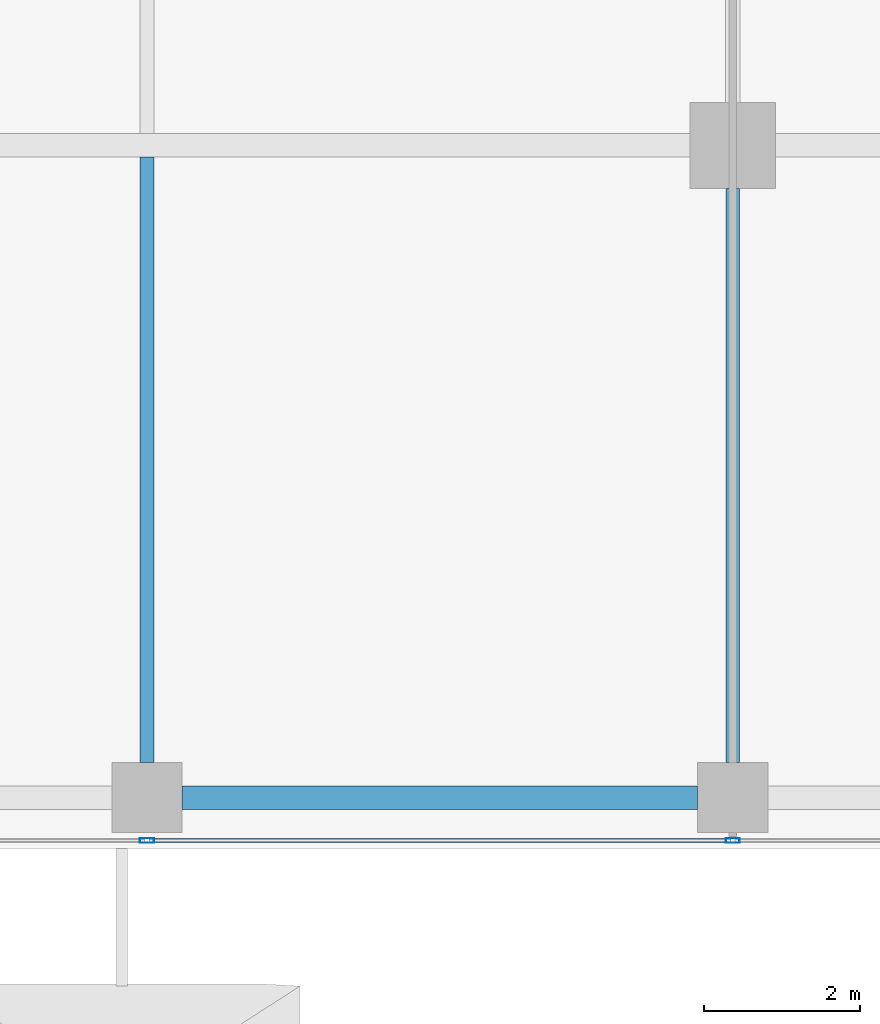
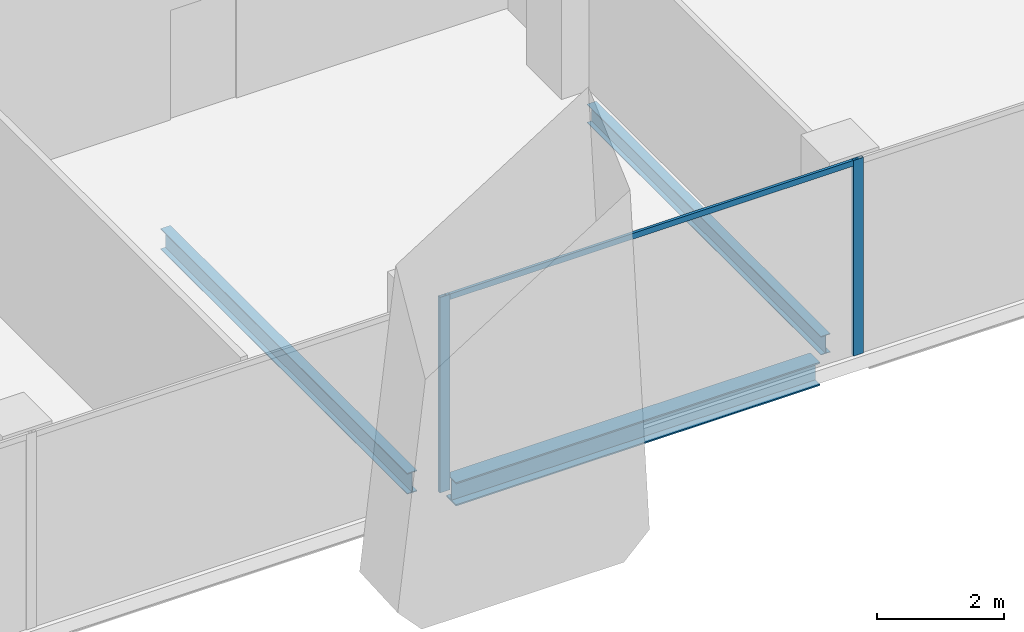
# One storey, part 6 of 36: 3 beams, 3 members, 1 element without a shape of its own.
"""IFC4 building model written with IfcOpenShell, lengths in metres."""

from ifc_helpers import new_model, si_unit, direction, frame, origin, origin_2d, place, context, subcontext, project, spatial, hollow_rectangle, i_section, extrude, source, transform, mapped, material, material_profile, profile_set, type_object, element, aggregate, save


model = new_model("IFC4")

# Units and contexts
model_context = context("Model", 3, precision=1e-05, world=origin(), true_north=direction((0.0, 1.0)))
body_context = subcontext(model_context, "Body", "Model", "MODEL_VIEW")
ifc_project = project(units=[si_unit("LENGTHUNIT", "METRE"), si_unit("AREAUNIT", "SQUARE_METRE"), si_unit("VOLUMEUNIT", "CUBIC_METRE"), si_unit("PLANEANGLEUNIT", "RADIAN"), si_unit("MASSUNIT", "GRAM", prefix="KILO")], contexts=[model_context])

# Site, building, storey
site_placement = place(None, origin())
site = spatial("IfcSite", under=ifc_project, at=site_placement, CompositionType="ELEMENT")
building_placement = place(site_placement, origin())
building = spatial("IfcBuilding", under=site, at=building_placement, Name="Khomas Fold Tower", CompositionType="ELEMENT")
storey_placement = place(building_placement, frame((0.0, 0.0, 238.199951171875)))
storey = spatial("IfcBuildingStorey", under=building, at=storey_placement, Name="L53", CompositionType="ELEMENT", Elevation=238.199951171875)

# Beams
ifc_material_1 = material(Name="Steel S355", Category="steel")
ifc_material_profile_1 = material_profile(ifc_material_1, i_section(OverallWidth=0.300048828125, OverallDepth=0.449951171875, WebThickness=0.013916015625, FlangeThickness=0.02587890625, at=origin_2d()), Name="HE 450 B")
ifc_profile_set_1 = profile_set([ifc_material_profile_1], Name="Steel S355")
beam_type_1 = type_object("IfcBeamType", Name="HE 450 B spandrel SB4", PredefinedType="SPANDREL", material=ifc_profile_set_1)
shared_shape_1 = source(origin(), body_context, "Body", "SweptSolid", [
    extrude(i_section(OverallWidth=0.300048828125, OverallDepth=0.449951171875, WebThickness=0.013916015625, FlangeThickness=0.02587890625, at=origin_2d()), origin(), (0.0, 0.0, 1.0), 6.60009765625),
])
beam_1_placement = place(storey_placement, frame((27.449951171875, 5.14990234375, -0.474853515625), z_axis=(1.0, 0.0, 0.0), x_axis=(0.0, 1.0, 0.0)))
element("IfcBeam", 1, at=beam_1_placement, inside=storey, type_object=beam_type_1, Name="SB4", PredefinedType="SPANDREL", context=body_context, shape_type="MappedRepresentation", body=[
    mapped(shared_shape_1, transform((0.0, 0.0, 0.0))),
])
ifc_material_2 = material(Name="Steel S355", Category="steel")
ifc_material_profile_2 = material_profile(ifc_material_2, i_section(OverallWidth=0.179931640625, OverallDepth=0.39990234375, WebThickness=0.008544921875, FlangeThickness=0.013427734375, at=origin_2d()), Name="IPE 400")
ifc_profile_set_2 = profile_set([ifc_material_profile_2], Name="Steel S355")
beam_type_2 = type_object("IfcBeamType", Name="IPE 400 beam JB3", PredefinedType="BEAM", material=ifc_profile_set_2)
shared_shape_2 = source(origin(), body_context, "Body", "SweptSolid", [
    extrude(i_section(OverallWidth=0.179931640625, OverallDepth=0.39990234375, WebThickness=0.008544921875, FlangeThickness=0.013427734375, at=origin_2d()), origin(), (0.0, 0.0, 1.0), 7.75),
])
beam_2_placement = place(storey_placement, frame((27.0, 5.60009765625, -0.449951171875), z_axis=(0.0, 1.0, 0.0), x_axis=(-1.0, 0.0, 0.0)))
element("IfcBeam", 2, at=beam_2_placement, inside=storey, type_object=beam_type_2, Name="JB3", PredefinedType="BEAM", context=body_context, shape_type="MappedRepresentation", body=[
    mapped(shared_shape_2, transform((0.0, 0.0, 0.0))),
])
ifc_material_3 = material(Name="Steel S355", Category="steel")
ifc_material_profile_3 = material_profile(ifc_material_3, i_section(OverallWidth=0.169921875, OverallDepth=0.360107421875, WebThickness=0.008056640625, FlangeThickness=0.0126953125, at=origin_2d()), Name="IPE 360")
ifc_profile_set_3 = profile_set([ifc_material_profile_3], Name="Steel S355")
beam_type_3 = type_object("IfcBeamType", Name="IPE 360 beam JB2", PredefinedType="BEAM", material=ifc_profile_set_3)
shared_shape_3 = source(origin(), body_context, "Body", "SweptSolid", [
    extrude(i_section(OverallWidth=0.169921875, OverallDepth=0.360107421875, WebThickness=0.008056640625, FlangeThickness=0.0126953125, at=origin_2d()), origin(), (0.0, 0.0, 1.0), 7.349853515625),
])
beam_3_placement = place(storey_placement, frame((34.5, 5.60009765625, -0.429931640625), z_axis=(0.0, 1.0, 0.0), x_axis=(-1.0, 0.0, 0.0)))
element("IfcBeam", 3, at=beam_3_placement, inside=storey, type_object=beam_type_3, Name="JB2", PredefinedType="BEAM", context=body_context, shape_type="MappedRepresentation", body=[
    mapped(shared_shape_3, transform((0.0, 0.0, 0.0))),
])

# Curtain wall, members
ifc_material_4 = material(Name="Aluminium framed double glazing", Category="aluminium")
curtain_wall_type = type_object("IfcCurtainWallType", Name="SK-Unitised clear-glass wall, office floors CW2", PredefinedType="NOTDEFINED", material=ifc_material_4)
curtain_wall_placement = place(storey_placement, origin())
curtain_wall = element("IfcCurtainWall", 4, at=curtain_wall_placement, inside=storey, type_object=curtain_wall_type, Name="CW2 run L53 00-0", PredefinedType="NOTDEFINED")
ifc_material_5 = material(Name="Aluminium", Category="aluminium")
ifc_material_profile_4 = material_profile(ifc_material_5, hollow_rectangle(XDim=0.06005859375, YDim=0.179931640625, WallThickness=0.00390625, at=origin_2d()), Name="SK-Unitised clear-glass wall, office floors mullion CW2-M")
ifc_profile_set_4 = profile_set([ifc_material_profile_4], Name="Aluminium")
member_type_1 = type_object("IfcMemberType", Name="SK-Unitised clear-glass wall, office floors mullion CW2-M", PredefinedType="MULLION", material=ifc_profile_set_4)
shared_shape_4 = source(origin(), body_context, "Body", "SweptSolid", [
    extrude(hollow_rectangle(XDim=0.06005859375, YDim=0.179931640625, WallThickness=0.00390625, at=origin_2d()), origin(), (0.0, 0.0, 1.0), 3.75),
])
member_1_placement = place(storey_placement, frame((27.0, 4.60009765625, 0.0), z_axis=(0.0, 0.0, 1.0), x_axis=(0.0, 1.0, 0.0)))
member_1 = element("IfcMember", 5, at=member_1_placement, type_object=member_type_1, Name="CW2 mullion 4", PredefinedType="MULLION", context=body_context, shape_type="MappedRepresentation", body=[
    mapped(shared_shape_4, transform((0.0, 0.0, 0.0))),
])
member_2_placement = place(storey_placement, frame((34.5, 4.60009765625, 0.0), z_axis=(0.0, 0.0, 1.0), x_axis=(0.0, 1.0, 0.0)))
member_2 = element("IfcMember", 6, at=member_2_placement, type_object=member_type_1, Name="CW2 mullion 5", PredefinedType="MULLION", context=body_context, shape_type="MappedRepresentation", body=[
    mapped(shared_shape_4, transform((0.0, 0.0, 0.0))),
])
ifc_material_6 = material(Name="Aluminium", Category="aluminium")
ifc_material_profile_5 = material_profile(ifc_material_6, hollow_rectangle(XDim=0.050048828125, YDim=0.110107421875, WallThickness=0.00390625, at=origin_2d()), Name="SK-Unitised clear-glass wall, office floors transom CW2-T")
ifc_profile_set_5 = profile_set([ifc_material_profile_5], Name="Aluminium")
member_type_2 = type_object("IfcMemberType", Name="SK-Unitised clear-glass wall, office floors transom CW2-T", PredefinedType="USERDEFINED", material=ifc_profile_set_5)
shared_shape_5 = source(origin(), body_context, "Body", "SweptSolid", [
    extrude(hollow_rectangle(XDim=0.050048828125, YDim=0.110107421875, WallThickness=0.00390625, at=origin_2d()), origin(), (0.0, 0.0, 1.0), 7.43994140625),
])
member_3_placement = place(storey_placement, frame((27.030029296875, 4.60009765625, 3.695068359375), z_axis=(1.0, 0.0, 0.0), x_axis=(0.0, 1.0, 0.0)))
member_3 = element("IfcMember", 7, at=member_3_placement, type_object=member_type_2, Name="CW2 transom 4", ObjectType="TRANSOM", PredefinedType="USERDEFINED", context=body_context, shape_type="MappedRepresentation", body=[
    mapped(shared_shape_5, transform((0.0, 0.0, 0.0))),
])
aggregate(curtain_wall, [member_1, member_2, member_3])

save(model, "model.ifc")
